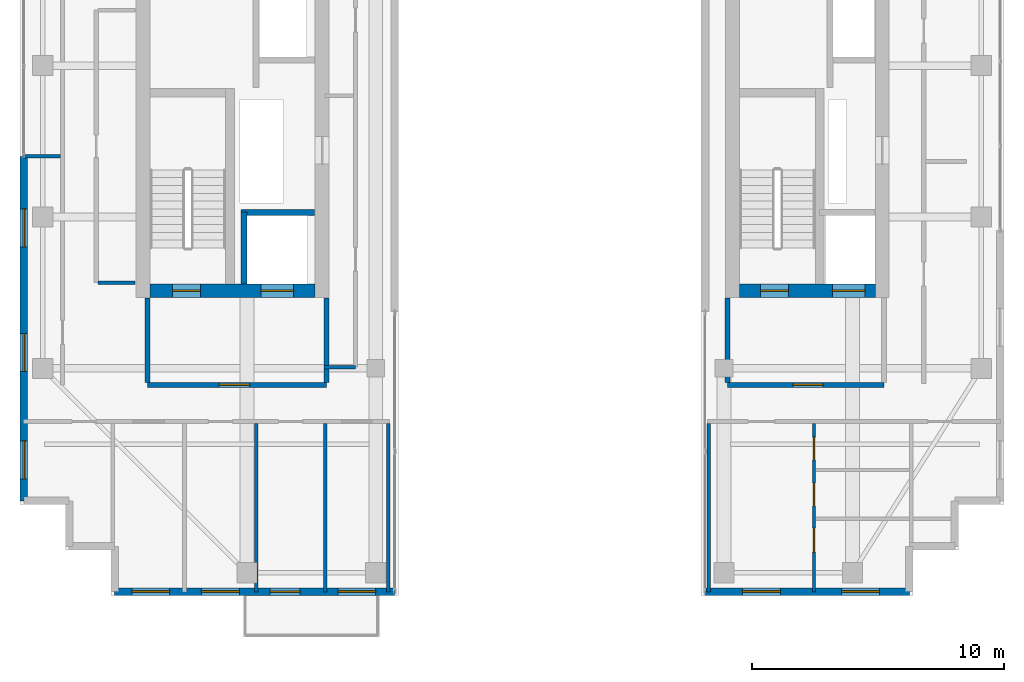
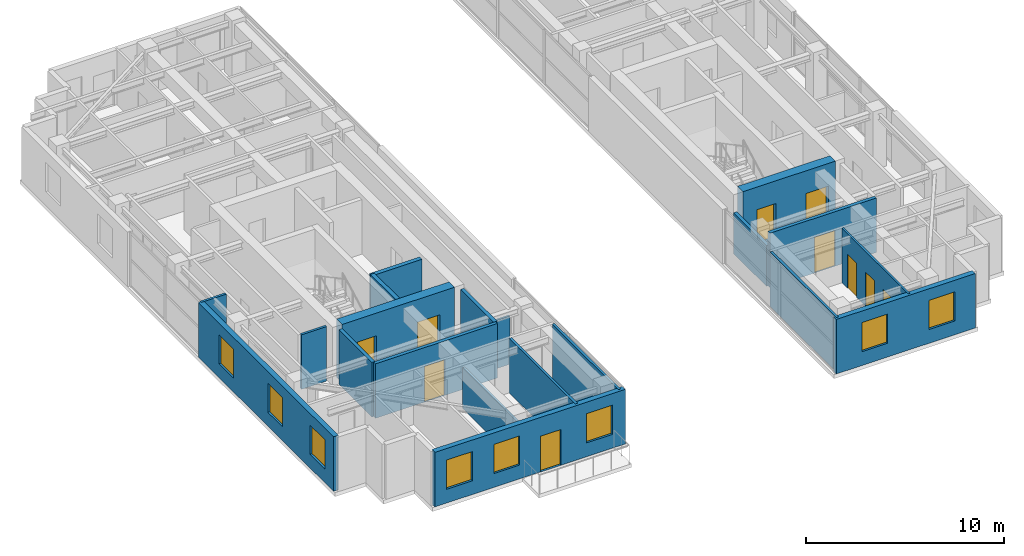
# One storey, part 17 of 22: 20 walls, 10 doors, 8 windows, 18 openings.
"""IFC4 building model written with IfcOpenShell, lengths in metres."""

from ifc_helpers import new_model, si_unit, direction, frame, frame_2d, origin, place, context, subcontext, project, spatial, rectangle, extrude, source, transform, mapped, material, layer, layer_set, type_object, element, fill, save


model = new_model("IFC4")

# Units and contexts
model_context = context("Model", 3, precision=1e-05, world=origin(), true_north=direction((0.0, 1.0)))
body_context = subcontext(model_context, "Body", "Model", "MODEL_VIEW")
ifc_project = project(units=[si_unit("LENGTHUNIT", "METRE"), si_unit("AREAUNIT", "SQUARE_METRE"), si_unit("VOLUMEUNIT", "CUBIC_METRE"), si_unit("PLANEANGLEUNIT", "RADIAN"), si_unit("MASSUNIT", "GRAM", prefix="KILO")], contexts=[model_context])

# Site, building, storey
site_placement = place(None, origin())
site = spatial("IfcSite", under=ifc_project, at=site_placement, CompositionType="ELEMENT")
building_placement = place(site_placement, origin())
building = spatial("IfcBuilding", under=site, at=building_placement, Name="Khoralis Quay Care Tower", CompositionType="ELEMENT")
storey_placement = place(building_placement, frame((0.0, 0.0, 260.10009765625)))
storey = spatial("IfcBuildingStorey", under=building, at=storey_placement, Name="L68", CompositionType="ELEMENT", Elevation=260.10009765625)

# Wall, opening, door
ifc_material_1 = material(Name="Gypsum plasterboard on acoustic metal stud")
ifc_layer_1 = layer(ifc_material_1, 0.199951171875)
ifc_layer_set_1 = layer_set([ifc_layer_1], Name="Gypsum plasterboard on acoustic metal stud")
wall_type_1 = type_object("IfcWallType", Name="WL-COMP-200", PredefinedType="PARTITIONING", material=ifc_layer_set_1)
wall_1_placement = place(storey_placement, frame((8.050048828125, 11.35009765625, 0.0), z_axis=(0.0, 0.0, 1.0), x_axis=(1.0, 0.0, 0.0)))
wall_1 = element("IfcWall", 1, at=wall_1_placement, inside=storey, type_object=wall_type_1, Name="L68 West Firefighting Lobby South Wall", PredefinedType="PARTITIONING", context=body_context, shape_type="SweptSolid", body=[
    extrude(rectangle(XDim=7.099853515625, YDim=0.199951171875, at=frame_2d((3.5498046875, 0.0))), origin(), (0.0, 0.0, 1.0), 3.35986328125),
])
opening_1_placement = place(wall_1_placement, frame((2.846435546875, 0.0, 0.0)))
opening_1 = element("IfcOpeningElement", 2, at=opening_1_placement, cuts=wall_1, Name="Opening FD1", PredefinedType="OPENING", context=body_context, shape_type="SweptSolid", body=[
    extrude(rectangle(XDim=1.199951171875, YDim=2.199951171875, at=frame_2d((0.60009765625, 1.10009765625))), frame((0.0, 0.10986328125, 0.0), z_axis=(0.0, -1.0, 0.0), x_axis=(1.0, 0.0, 0.0)), (0.0, 0.0, 1.0), 0.219970703125),
])
ifc_material_2 = material(Name="Fire-rated painted steel", Category="steel")
door_type_1 = type_object("IfcDoorType", Name="DR-FFL-1200X2200", OperationType="NOTDEFINED", PredefinedType="DOOR", material=ifc_material_2)
shared_shape_1 = source(origin(), body_context, "Body", "SweptSolid", [
    extrude(rectangle(XDim=1.199951171875, YDim=2.199951171875, at=frame_2d((0.60009765625, 1.10009765625))), frame((0.0, 0.02490234375, 0.0), z_axis=(0.0, -1.0, 0.0), x_axis=(1.0, 0.0, 0.0)), (0.0, 0.0, 1.0), 0.050048828125),
])
door_1_placement = place(opening_1_placement, origin())
door_1 = element("IfcDoor", 3, at=door_1_placement, inside=storey, type_object=door_type_1, Name="L68 West Firefighting Lobby Fire Door", OperationType="SINGLE_SWING_RIGHT", OverallHeight=2.199951171875, OverallWidth=1.199951171875, PredefinedType="DOOR", context=body_context, shape_type="MappedRepresentation", body=[
    mapped(shared_shape_1, transform((0.0, 0.0, 0.0), scale=1.0)),
])
fill(opening_1, door_1)

# Walls
for number, where, z_axis, x_axis, name in (
    (4, (8.050048828125, 11.445068359375, 0.0), (0.0, 0.0, 1.0), (0.0, 1.0, 0.0), "L68 West Firefighting Lobby West Wall"),
    (5, (15.14990234375, 11.445068359375, 0.0), (0.0, 0.0, 1.0), (0.0, 1.0, 0.0), "L68 West Firefighting Lobby East Wall"),
):
    element("IfcWall", number, at=place(storey_placement, frame(where, z_axis=z_axis, x_axis=x_axis)), inside=storey, type_object=wall_type_1, Name=name, PredefinedType="PARTITIONING", context=body_context, shape_type="SweptSolid", body=[
        extrude(rectangle(XDim=3.3349609375, YDim=0.199951171875, at=frame_2d((1.66748046875, 0.0))), origin(), (0.0, 0.0, 1.0), 3.35986328125),
    ])

# Wall, opening, door
wall_2_placement = place(storey_placement, frame((31.050048828125, 11.35009765625, 0.0), z_axis=(0.0, 0.0, 1.0), x_axis=(1.0, 0.0, 0.0)))
wall_2 = element("IfcWall", 6, at=wall_2_placement, inside=storey, type_object=wall_type_1, Name="L68 East Firefighting Lobby South Wall", PredefinedType="PARTITIONING", context=body_context, shape_type="SweptSolid", body=[
    extrude(rectangle(XDim=6.199951171875, YDim=0.199951171875, at=frame_2d((3.10009765625, 0.0))), origin(), (0.0, 0.0, 1.0), 3.35986328125),
])
opening_2_placement = place(wall_2_placement, frame((2.585693359375, 0.0, 0.0)))
opening_2 = element("IfcOpeningElement", 7, at=opening_2_placement, cuts=wall_2, Name="Opening FD1", PredefinedType="OPENING", context=body_context, shape_type="SweptSolid", body=[
    extrude(rectangle(XDim=1.199951171875, YDim=2.199951171875, at=frame_2d((0.60009765625, 1.10009765625))), frame((0.0, 0.10986328125, 0.0), z_axis=(0.0, -1.0, 0.0), x_axis=(1.0, 0.0, 0.0)), (0.0, 0.0, 1.0), 0.219970703125),
])
door_2_placement = place(opening_2_placement, origin())
door_2 = element("IfcDoor", 8, at=door_2_placement, inside=storey, type_object=door_type_1, Name="L68 East Firefighting Lobby Fire Door", OperationType="SINGLE_SWING_LEFT", OverallHeight=2.199951171875, OverallWidth=1.199951171875, PredefinedType="DOOR", context=body_context, shape_type="MappedRepresentation", body=[
    mapped(shared_shape_1, transform((0.0, 0.0, 0.0), scale=1.0)),
])
fill(opening_2, door_2)

# Wall
wall_3_placement = place(storey_placement, frame((31.050048828125, 11.445068359375, 0.0), z_axis=(0.0, 0.0, 1.0), x_axis=(0.0, 1.0, 0.0)))
element("IfcWall", 9, at=wall_3_placement, inside=storey, type_object=wall_type_1, Name="L68 East Firefighting Lobby West Wall", PredefinedType="PARTITIONING", context=body_context, shape_type="SweptSolid", body=[
    extrude(rectangle(XDim=3.3349609375, YDim=0.199951171875, at=frame_2d((1.66748046875, 0.0))), origin(), (0.0, 0.0, 1.0), 2.510009765625),
])

# Wall, openings, doors
ifc_material_3 = material(Name="Concrete C65/80", Category="concrete")
ifc_layer_2 = layer(ifc_material_3, 0.550048828125)
ifc_layer_set_2 = layer_set([ifc_layer_2], Name="Concrete C65/80")
wall_type_2 = type_object("IfcWallType", Name="WL-CORE-550", PredefinedType="SHEAR", material=ifc_layer_set_2)
wall_4_placement = place(storey_placement, frame((8.14990234375, 15.074951171875, 0.0), z_axis=(0.0, 0.0, 1.0), x_axis=(1.0, 0.0, 0.0)))
wall_4 = element("IfcWall", 10, at=wall_4_placement, inside=storey, type_object=wall_type_2, Name="L68 WCORE South Shear Wall", PredefinedType="SHEAR", context=body_context, shape_type="SweptSolid", body=[
    extrude(rectangle(XDim=6.550048828125, YDim=0.550048828125, at=frame_2d((3.27490234375, 0.0))), origin(), (0.0, 0.0, 1.0), 3.599853515625),
])
opening_3_placement = place(wall_4_placement, frame((0.89990234375, 0.0, 0.0)))
opening_3 = element("IfcOpeningElement", 11, at=opening_3_placement, cuts=wall_4, Name="Opening SD1", PredefinedType="OPENING", context=body_context, shape_type="SweptSolid", body=[
    extrude(rectangle(XDim=1.10009765625, YDim=2.199951171875, at=frame_2d((0.550048828125, 1.10009765625))), frame((0.0, 0.28515625, 0.0), z_axis=(0.0, -1.0, 0.0), x_axis=(1.0, 0.0, 0.0)), (0.0, 0.0, 1.0), 0.570068359375),
])
opening_4_placement = place(wall_4_placement, frame((4.39990234375, 0.0, 0.0)))
opening_4 = element("IfcOpeningElement", 12, at=opening_4_placement, cuts=wall_4, Name="Opening LD2", PredefinedType="OPENING", context=body_context, shape_type="SweptSolid", body=[
    extrude(rectangle(XDim=1.300048828125, YDim=2.199951171875, at=frame_2d((0.64990234375, 1.10009765625))), frame((0.0, 0.28515625, 0.0), z_axis=(0.0, -1.0, 0.0), x_axis=(1.0, 0.0, 0.0)), (0.0, 0.0, 1.0), 0.570068359375),
])
door_type_2 = type_object("IfcDoorType", Name="DR-STAIR-1100X2200", OperationType="NOTDEFINED", PredefinedType="DOOR", material=ifc_material_2)
shared_shape_2 = source(origin(), body_context, "Body", "SweptSolid", [
    extrude(rectangle(XDim=1.10009765625, YDim=2.199951171875, at=frame_2d((0.550048828125, 1.10009765625))), frame((0.0, 0.02490234375, 0.0), z_axis=(0.0, -1.0, 0.0), x_axis=(1.0, 0.0, 0.0)), (0.0, 0.0, 1.0), 0.050048828125),
])
door_3_placement = place(opening_3_placement, origin())
door_3 = element("IfcDoor", 13, at=door_3_placement, inside=storey, type_object=door_type_2, Name="L68 Stair ST-T1 Fire Door", OperationType="SINGLE_SWING_RIGHT", OverallHeight=2.199951171875, OverallWidth=1.10009765625, PredefinedType="DOOR", context=body_context, shape_type="MappedRepresentation", body=[
    mapped(shared_shape_2, transform((0.0, 0.0, 0.0), scale=1.0)),
])
fill(opening_3, door_3)
ifc_material_4 = material(Name="Brushed stainless steel", Category="steel")
door_type_3 = type_object("IfcDoorType", Name="DR-LIFT-1300X2200", OperationType="SLIDING_TO_RIGHT", PredefinedType="DOOR", material=ifc_material_4)
shared_shape_3 = source(origin(), body_context, "Body", "SweptSolid", [
    extrude(rectangle(XDim=1.300048828125, YDim=2.199951171875, at=frame_2d((0.64990234375, 1.10009765625))), frame((0.0, 0.02490234375, 0.0), z_axis=(0.0, -1.0, 0.0), x_axis=(1.0, 0.0, 0.0)), (0.0, 0.0, 1.0), 0.050048828125),
])
door_4_placement = place(opening_4_placement, origin())
door_4 = element("IfcDoor", 14, at=door_4_placement, inside=storey, type_object=door_type_3, Name="L68 Firefighting Lift FFL-1 Landing Door", OperationType="SLIDING_TO_RIGHT", OverallHeight=2.199951171875, OverallWidth=1.300048828125, PredefinedType="DOOR", context=body_context, shape_type="MappedRepresentation", body=[
    mapped(shared_shape_3, transform((0.0, 0.0, 0.0), scale=1.0)),
])
fill(opening_4, door_4)

wall_5_placement = place(storey_placement, frame((31.52001953125, 15.074951171875, 0.0), z_axis=(0.0, 0.0, 1.0), x_axis=(1.0, 0.0, 0.0)))
wall_5 = element("IfcWall", 15, at=wall_5_placement, inside=storey, type_object=wall_type_2, Name="L68 ECORE South Shear Wall", PredefinedType="SHEAR", context=body_context, shape_type="SweptSolid", body=[
    extrude(rectangle(XDim=5.3798828125, YDim=0.550048828125, at=frame_2d((2.68994140625, 0.0))), origin(), (0.0, 0.0, 1.0), 3.599853515625),
])
opening_5_placement = place(wall_5_placement, frame((0.830078125, 0.0, 0.0)))
opening_5 = element("IfcOpeningElement", 16, at=opening_5_placement, cuts=wall_5, Name="Opening SD1", PredefinedType="OPENING", context=body_context, shape_type="SweptSolid", body=[
    extrude(rectangle(XDim=1.10009765625, YDim=2.199951171875, at=frame_2d((0.550048828125, 1.10009765625))), frame((0.0, 0.28515625, 0.0), z_axis=(0.0, -1.0, 0.0), x_axis=(1.0, 0.0, 0.0)), (0.0, 0.0, 1.0), 0.570068359375),
])
opening_6_placement = place(wall_5_placement, frame((3.679931640625, 0.0, 0.0)))
opening_6 = element("IfcOpeningElement", 17, at=opening_6_placement, cuts=wall_5, Name="Opening LD2", PredefinedType="OPENING", context=body_context, shape_type="SweptSolid", body=[
    extrude(rectangle(XDim=1.300048828125, YDim=2.199951171875, at=frame_2d((0.64990234375, 1.10009765625))), frame((0.0, 0.28515625, 0.0), z_axis=(0.0, -1.0, 0.0), x_axis=(1.0, 0.0, 0.0)), (0.0, 0.0, 1.0), 0.570068359375),
])
door_5_placement = place(opening_5_placement, origin())
door_5 = element("IfcDoor", 18, at=door_5_placement, inside=storey, type_object=door_type_2, Name="L68 Stair ST-T2 Fire Door", OperationType="SINGLE_SWING_LEFT", OverallHeight=2.199951171875, OverallWidth=1.10009765625, PredefinedType="DOOR", context=body_context, shape_type="MappedRepresentation", body=[
    mapped(shared_shape_2, transform((0.0, 0.0, 0.0), scale=1.0)),
])
fill(opening_5, door_5)
door_6_placement = place(opening_6_placement, origin())
door_6 = element("IfcDoor", 19, at=door_6_placement, inside=storey, type_object=door_type_3, Name="L68 Firefighting Lift FFL-2 Landing Door", OperationType="SLIDING_TO_RIGHT", OverallHeight=2.199951171875, OverallWidth=1.300048828125, PredefinedType="DOOR", context=body_context, shape_type="MappedRepresentation", body=[
    mapped(shared_shape_3, transform((0.0, 0.0, 0.0), scale=1.0)),
])
fill(opening_6, door_6)

# Wall, openings, windows, door
ifc_material_5 = material(Name="Precast concrete C45/55", Category="concrete")
ifc_layer_3 = layer(ifc_material_5, 0.300048828125)
ifc_layer_set_3 = layer_set([ifc_layer_3], Name="Precast concrete C45/55")
wall_type_3 = type_object("IfcWallType", Name="WL-EXT-REF-300", PredefinedType="SOLIDWALL", material=ifc_layer_set_3)
wall_6_placement = place(storey_placement, frame((6.75, 3.14990234375, 0.0), z_axis=(0.0, 0.0, 1.0), x_axis=(1.0, 0.0, 0.0)))
wall_6 = element("IfcWall", 20, at=wall_6_placement, inside=storey, type_object=wall_type_3, Name="L68 External Facade Wall WL-EXT-L68-P1-E0", PredefinedType="SOLIDWALL", context=body_context, shape_type="SweptSolid", body=[
    extrude(rectangle(XDim=11.10009765625, YDim=0.300048828125, at=frame_2d((5.550048828125, 0.0))), origin(), (0.0, 0.0, 1.0), 3.35986328125),
])
opening_7_placement = place(wall_6_placement, frame((0.68505859375, 0.0, 0.85009765625)))
opening_7 = element("IfcOpeningElement", 21, at=opening_7_placement, cuts=wall_6, Name="Opening W3", PredefinedType="OPENING", context=body_context, shape_type="SweptSolid", body=[
    extrude(rectangle(XDim=1.5, YDim=1.800048828125, at=frame_2d((0.75, 0.89990234375))), frame((0.0, 0.16015625, 0.0), z_axis=(0.0, -1.0, 0.0), x_axis=(1.0, 0.0, 0.0)), (0.0, 0.0, 1.0), 0.320068359375),
])
opening_8_placement = place(wall_6_placement, frame((3.43994140625, 0.0, 0.85009765625)))
opening_8 = element("IfcOpeningElement", 22, at=opening_8_placement, cuts=wall_6, Name="Opening W3", PredefinedType="OPENING", context=body_context, shape_type="SweptSolid", body=[
    extrude(rectangle(XDim=1.5, YDim=1.800048828125, at=frame_2d((0.75, 0.89990234375))), frame((0.0, 0.16015625, 0.0), z_axis=(0.0, -1.0, 0.0), x_axis=(1.0, 0.0, 0.0)), (0.0, 0.0, 1.0), 0.320068359375),
])
opening_9_placement = place(wall_6_placement, frame((8.844970703125, 0.0, 0.85009765625)))
opening_9 = element("IfcOpeningElement", 23, at=opening_9_placement, cuts=wall_6, Name="Opening W3", PredefinedType="OPENING", context=body_context, shape_type="SweptSolid", body=[
    extrude(rectangle(XDim=1.5, YDim=1.800048828125, at=frame_2d((0.75, 0.89990234375))), frame((0.0, 0.16015625, 0.0), z_axis=(0.0, -1.0, 0.0), x_axis=(1.0, 0.0, 0.0)), (0.0, 0.0, 1.0), 0.320068359375),
])
opening_10_placement = place(wall_6_placement, frame((6.14990234375, 0.0, 0.0)))
opening_10 = element("IfcOpeningElement", 24, at=opening_10_placement, cuts=wall_6, Name="Opening BD1", PredefinedType="OPENING", context=body_context, shape_type="SweptSolid", body=[
    extrude(rectangle(XDim=1.199951171875, YDim=2.199951171875, at=frame_2d((0.60009765625, 1.10009765625))), frame((0.0, 0.16015625, 0.0), z_axis=(0.0, -1.0, 0.0), x_axis=(1.0, 0.0, 0.0)), (0.0, 0.0, 1.0), 0.320068359375),
])
ifc_material_6 = material(Name="Low-E solar-control double glazing", Category="glass")
window_type = type_object("IfcWindowType", Name="WN-CLIN-1500X1800", PartitioningType="SINGLE_PANEL", PredefinedType="WINDOW", material=ifc_material_6)
shared_shape_4 = source(origin(), body_context, "Body", "SweptSolid", [
    extrude(rectangle(XDim=1.5, YDim=1.800048828125, at=frame_2d((0.75, 0.89990234375))), frame((0.0, 0.030029296875, 0.0), z_axis=(0.0, -1.0, 0.0), x_axis=(1.0, 0.0, 0.0)), (0.0, 0.0, 1.0), 0.06005859375),
])
window_1_placement = place(opening_7_placement, origin())
window_1 = element("IfcWindow", 25, at=window_1_placement, inside=storey, type_object=window_type, Name="WN-L68-P1-E0 Facade Window 01", OverallHeight=1.800048828125, OverallWidth=1.5, PartitioningType="SINGLE_PANEL", PredefinedType="WINDOW", context=body_context, shape_type="MappedRepresentation", body=[
    mapped(shared_shape_4, transform((0.0, 0.0, 0.0), scale=1.0)),
])
fill(opening_7, window_1)
window_2_placement = place(opening_8_placement, origin())
window_2 = element("IfcWindow", 26, at=window_2_placement, inside=storey, type_object=window_type, Name="WN-L68-P1-E0 Facade Window 02", OverallHeight=1.800048828125, OverallWidth=1.5, PartitioningType="SINGLE_PANEL", PredefinedType="WINDOW", context=body_context, shape_type="MappedRepresentation", body=[
    mapped(shared_shape_4, transform((0.0, 0.0, 0.0), scale=1.0)),
])
fill(opening_8, window_2)
window_3_placement = place(opening_9_placement, origin())
window_3 = element("IfcWindow", 27, at=window_3_placement, inside=storey, type_object=window_type, Name="WN-L68-P1-E0 Facade Window 03", OverallHeight=1.800048828125, OverallWidth=1.5, PartitioningType="SINGLE_PANEL", PredefinedType="WINDOW", context=body_context, shape_type="MappedRepresentation", body=[
    mapped(shared_shape_4, transform((0.0, 0.0, 0.0), scale=1.0)),
])
fill(opening_9, window_3)
ifc_material_7 = material(Name="Anodised aluminium and laminated safety glass", Category="aluminium")
door_type_4 = type_object("IfcDoorType", Name="DR-EXT-BALC-1200X2200", OperationType="NOTDEFINED", PredefinedType="DOOR", material=ifc_material_7)
shared_shape_5 = source(origin(), body_context, "Body", "SweptSolid", [
    extrude(rectangle(XDim=1.199951171875, YDim=2.199951171875, at=frame_2d((0.60009765625, 1.10009765625))), frame((0.0, 0.02490234375, 0.0), z_axis=(0.0, -1.0, 0.0), x_axis=(1.0, 0.0, 0.0)), (0.0, 0.0, 1.0), 0.050048828125),
])
door_7_placement = place(opening_10_placement, frame((1.199951171875, 0.0, 0.0), z_axis=(0.0, 0.0, 1.0), x_axis=(-1.0, 0.0, 0.0)))
door_7 = element("IfcDoor", 28, at=door_7_placement, inside=storey, type_object=door_type_4, Name="L68 Senior Loggia Balcony Door", OperationType="SINGLE_SWING_LEFT", OverallHeight=2.199951171875, OverallWidth=1.199951171875, PredefinedType="DOOR", context=body_context, shape_type="MappedRepresentation", body=[
    mapped(shared_shape_5, transform((0.0, 0.0, 0.0), scale=1.0)),
])
fill(opening_10, door_7)

# Wall, openings, windows
wall_7_placement = place(storey_placement, frame((3.14990234375, 20.39990234375, 0.0), z_axis=(0.0, 0.0, 1.0), x_axis=(0.0, -1.0, 0.0)))
wall_7 = element("IfcWall", 29, at=wall_7_placement, inside=storey, type_object=wall_type_3, Name="L68 External Facade Wall WL-EXT-L68-P1-E7B", PredefinedType="SOLIDWALL", context=body_context, shape_type="SweptSolid", body=[
    extrude(rectangle(XDim=13.64990234375, YDim=0.300048828125, at=frame_2d((6.824951171875, 0.0))), origin(), (0.0, 0.0, 1.0), 3.35986328125),
])
opening_11_placement = place(wall_7_placement, frame((2.080078125, 0.0, 0.85009765625)))
opening_11 = element("IfcOpeningElement", 30, at=opening_11_placement, cuts=wall_7, Name="Opening W3", PredefinedType="OPENING", context=body_context, shape_type="SweptSolid", body=[
    extrude(rectangle(XDim=1.5, YDim=1.800048828125, at=frame_2d((0.75, 0.89990234375))), frame((0.0, 0.16015625, 0.0), z_axis=(0.0, -1.0, 0.0), x_axis=(1.0, 0.0, 0.0)), (0.0, 0.0, 1.0), 0.320068359375),
])
opening_12_placement = place(wall_7_placement, frame((7.02001953125, 0.0, 0.85009765625)))
opening_12 = element("IfcOpeningElement", 31, at=opening_12_placement, cuts=wall_7, Name="Opening W3", PredefinedType="OPENING", context=body_context, shape_type="SweptSolid", body=[
    extrude(rectangle(XDim=1.5, YDim=1.800048828125, at=frame_2d((0.75, 0.89990234375))), frame((0.0, 0.16015625, 0.0), z_axis=(0.0, -1.0, 0.0), x_axis=(1.0, 0.0, 0.0)), (0.0, 0.0, 1.0), 0.320068359375),
])
opening_13_placement = place(wall_7_placement, frame((11.27490234375, 0.0, 0.85009765625)))
opening_13 = element("IfcOpeningElement", 32, at=opening_13_placement, cuts=wall_7, Name="Opening W3", PredefinedType="OPENING", context=body_context, shape_type="SweptSolid", body=[
    extrude(rectangle(XDim=1.5, YDim=1.800048828125, at=frame_2d((0.75, 0.89990234375))), frame((0.0, 0.16015625, 0.0), z_axis=(0.0, -1.0, 0.0), x_axis=(1.0, 0.0, 0.0)), (0.0, 0.0, 1.0), 0.320068359375),
])
window_4_placement = place(opening_11_placement, origin())
window_4 = element("IfcWindow", 33, at=window_4_placement, inside=storey, type_object=window_type, Name="WN-L68-P1-E7B Facade Window 01", OverallHeight=1.800048828125, OverallWidth=1.5, PartitioningType="SINGLE_PANEL", PredefinedType="WINDOW", context=body_context, shape_type="MappedRepresentation", body=[
    mapped(shared_shape_4, transform((0.0, 0.0, 0.0), scale=1.0)),
])
fill(opening_11, window_4)
window_5_placement = place(opening_12_placement, origin())
window_5 = element("IfcWindow", 34, at=window_5_placement, inside=storey, type_object=window_type, Name="WN-L68-P1-E7B Facade Window 02", OverallHeight=1.800048828125, OverallWidth=1.5, PartitioningType="SINGLE_PANEL", PredefinedType="WINDOW", context=body_context, shape_type="MappedRepresentation", body=[
    mapped(shared_shape_4, transform((0.0, 0.0, 0.0), scale=1.0)),
])
fill(opening_12, window_5)
window_6_placement = place(opening_13_placement, origin())
window_6 = element("IfcWindow", 35, at=window_6_placement, inside=storey, type_object=window_type, Name="WN-L68-P1-E7B Facade Window 03", OverallHeight=1.800048828125, OverallWidth=1.5, PartitioningType="SINGLE_PANEL", PredefinedType="WINDOW", context=body_context, shape_type="MappedRepresentation", body=[
    mapped(shared_shape_4, transform((0.0, 0.0, 0.0), scale=1.0)),
])
fill(opening_13, window_6)

wall_8_placement = place(storey_placement, frame((30.14990234375, 3.14990234375, 0.0), z_axis=(0.0, 0.0, 1.0), x_axis=(1.0, 0.0, 0.0)))
wall_8 = element("IfcWall", 36, at=wall_8_placement, inside=storey, type_object=wall_type_3, Name="L68 External Facade Wall WL-EXT-L68-P2-E0", PredefinedType="SOLIDWALL", context=body_context, shape_type="SweptSolid", body=[
    extrude(rectangle(XDim=8.10009765625, YDim=0.300048828125, at=frame_2d((4.050048828125, 0.0))), origin(), (0.0, 0.0, 1.0), 3.35986328125),
])
opening_14_placement = place(wall_8_placement, frame((1.485107421875, 0.0, 0.85009765625)))
opening_14 = element("IfcOpeningElement", 37, at=opening_14_placement, cuts=wall_8, Name="Opening W3", PredefinedType="OPENING", context=body_context, shape_type="SweptSolid", body=[
    extrude(rectangle(XDim=1.5, YDim=1.800048828125, at=frame_2d((0.75, 0.89990234375))), frame((0.0, 0.16015625, 0.0), z_axis=(0.0, -1.0, 0.0), x_axis=(1.0, 0.0, 0.0)), (0.0, 0.0, 1.0), 0.320068359375),
])
opening_15_placement = place(wall_8_placement, frame((5.409912109375, 0.0, 0.85009765625)))
opening_15 = element("IfcOpeningElement", 38, at=opening_15_placement, cuts=wall_8, Name="Opening W3", PredefinedType="OPENING", context=body_context, shape_type="SweptSolid", body=[
    extrude(rectangle(XDim=1.5, YDim=1.800048828125, at=frame_2d((0.75, 0.89990234375))), frame((0.0, 0.16015625, 0.0), z_axis=(0.0, -1.0, 0.0), x_axis=(1.0, 0.0, 0.0)), (0.0, 0.0, 1.0), 0.320068359375),
])
window_7_placement = place(opening_14_placement, origin())
window_7 = element("IfcWindow", 39, at=window_7_placement, inside=storey, type_object=window_type, Name="WN-L68-P2-E0 Facade Window 01", OverallHeight=1.800048828125, OverallWidth=1.5, PartitioningType="SINGLE_PANEL", PredefinedType="WINDOW", context=body_context, shape_type="MappedRepresentation", body=[
    mapped(shared_shape_4, transform((0.0, 0.0, 0.0), scale=1.0)),
])
fill(opening_14, window_7)
window_8_placement = place(opening_15_placement, origin())
window_8 = element("IfcWindow", 40, at=window_8_placement, inside=storey, type_object=window_type, Name="WN-L68-P2-E0 Facade Window 02", OverallHeight=1.800048828125, OverallWidth=1.5, PartitioningType="SINGLE_PANEL", PredefinedType="WINDOW", context=body_context, shape_type="MappedRepresentation", body=[
    mapped(shared_shape_4, transform((0.0, 0.0, 0.0), scale=1.0)),
])
fill(opening_15, window_8)

# Wall, openings, doors
ifc_layer_4 = layer(ifc_material_1, 0.114990234375)
ifc_layer_set_4 = layer_set([ifc_layer_4], Name="Gypsum plasterboard on acoustic metal stud")
wall_type_4 = type_object("IfcWallType", Name="WL-PART-115", PredefinedType="PARTITIONING", material=ifc_layer_set_4)
wall_9_placement = place(storey_placement, frame((34.469970703125, 3.14501953125, 0.0), z_axis=(0.0, 0.0, 1.0), x_axis=(0.0, 1.0, 0.0)))
wall_9 = element("IfcWall", 41, at=wall_9_placement, inside=storey, type_object=wall_type_4, Name="L68 Unit 0 Internal Wall", PredefinedType="PARTITIONING", context=body_context, shape_type="SweptSolid", body=[
    extrude(rectangle(XDim=6.677490234375, YDim=0.114990234375, at=frame_2d((3.3388671875, 0.0))), origin(), (0.0, 0.0, 1.0), 3.35986328125),
])
opening_16_placement = place(wall_9_placement, frame((1.572998046875, 0.0, 0.0)))
opening_16 = element("IfcOpeningElement", 42, at=opening_16_placement, cuts=wall_9, Name="Opening ID1", PredefinedType="OPENING", context=body_context, shape_type="SweptSolid", body=[
    extrude(rectangle(XDim=0.949951171875, YDim=2.10009765625, at=frame_2d((0.47509765625, 1.050048828125))), frame((0.0, 0.0673828125, 0.0), z_axis=(0.0, -1.0, 0.0), x_axis=(1.0, 0.0, 0.0)), (0.0, 0.0, 1.0), 0.135009765625),
])
opening_17_placement = place(wall_9_placement, frame((3.406982421875, 0.0, 0.0)))
opening_17 = element("IfcOpeningElement", 43, at=opening_17_placement, cuts=wall_9, Name="Opening WD1", PredefinedType="OPENING", context=body_context, shape_type="SweptSolid", body=[
    extrude(rectangle(XDim=0.89990234375, YDim=2.10009765625, at=frame_2d((0.449951171875, 1.050048828125))), frame((0.0, 0.0673828125, 0.0), z_axis=(0.0, -1.0, 0.0), x_axis=(1.0, 0.0, 0.0)), (0.0, 0.0, 1.0), 0.135009765625),
])
opening_18_placement = place(wall_9_placement, frame((5.22412109375, 0.0, 0.0)))
opening_18 = element("IfcOpeningElement", 44, at=opening_18_placement, cuts=wall_9, Name="Opening WD1", PredefinedType="OPENING", context=body_context, shape_type="SweptSolid", body=[
    extrude(rectangle(XDim=0.89990234375, YDim=2.10009765625, at=frame_2d((0.449951171875, 1.050048828125))), frame((0.0, 0.0673828125, 0.0), z_axis=(0.0, -1.0, 0.0), x_axis=(1.0, 0.0, 0.0)), (0.0, 0.0, 1.0), 0.135009765625),
])
ifc_material_8 = material(Name="Acoustic hardwood timber", Category="wood")
door_type_5 = type_object("IfcDoorType", Name="DR-BATH-900X2100", OperationType="NOTDEFINED", PredefinedType="DOOR", material=ifc_material_8)
shared_shape_6 = source(origin(), body_context, "Body", "SweptSolid", [
    extrude(rectangle(XDim=0.89990234375, YDim=2.10009765625, at=frame_2d((0.449951171875, 1.050048828125))), frame((0.0, 0.02490234375, 0.0), z_axis=(0.0, -1.0, 0.0), x_axis=(1.0, 0.0, 0.0)), (0.0, 0.0, 1.0), 0.050048828125),
])
door_8_placement = place(opening_17_placement, frame((0.89990234375, 0.0, 0.0), z_axis=(0.0, 0.0, 1.0), x_axis=(-1.0, 0.0, 0.0)))
door_8 = element("IfcDoor", 45, at=door_8_placement, inside=storey, type_object=door_type_5, Name="L68 Apartment ES0 KIT Door", OperationType="SINGLE_SWING_LEFT", OverallHeight=2.10009765625, OverallWidth=0.89990234375, PredefinedType="DOOR", context=body_context, shape_type="MappedRepresentation", body=[
    mapped(shared_shape_6, transform((0.0, 0.0, 0.0), scale=1.0)),
])
fill(opening_17, door_8)
door_9_placement = place(opening_18_placement, frame((0.89990234375, 0.0, 0.0), z_axis=(0.0, 0.0, 1.0), x_axis=(-1.0, 0.0, 0.0)))
door_9 = element("IfcDoor", 46, at=door_9_placement, inside=storey, type_object=door_type_5, Name="L68 Apartment ES0 BTH Door", OperationType="SINGLE_SWING_RIGHT", OverallHeight=2.10009765625, OverallWidth=0.89990234375, PredefinedType="DOOR", context=body_context, shape_type="MappedRepresentation", body=[
    mapped(shared_shape_6, transform((0.0, 0.0, 0.0), scale=1.0)),
])
fill(opening_18, door_9)
door_type_6 = type_object("IfcDoorType", Name="DR-ROOM-950X2100", OperationType="NOTDEFINED", PredefinedType="DOOR", material=ifc_material_8)
shared_shape_7 = source(origin(), body_context, "Body", "SweptSolid", [
    extrude(rectangle(XDim=0.949951171875, YDim=2.10009765625, at=frame_2d((0.47509765625, 1.050048828125))), frame((0.0, 0.02490234375, 0.0), z_axis=(0.0, -1.0, 0.0), x_axis=(1.0, 0.0, 0.0)), (0.0, 0.0, 1.0), 0.050048828125),
])
door_10_placement = place(opening_16_placement, frame((0.949951171875, 0.0, 0.0), z_axis=(0.0, 0.0, 1.0), x_axis=(-1.0, 0.0, 0.0)))
door_10 = element("IfcDoor", 47, at=door_10_placement, inside=storey, type_object=door_type_6, Name="L68 Apartment ES0 BED Door", OperationType="SINGLE_SWING_RIGHT", OverallHeight=2.10009765625, OverallWidth=0.949951171875, PredefinedType="DOOR", context=body_context, shape_type="MappedRepresentation", body=[
    mapped(shared_shape_7, transform((0.0, 0.0, 0.0), scale=1.0)),
])
fill(opening_16, door_10)

# Walls
ifc_layer_5 = layer(ifc_material_1, 0.239990234375)
ifc_layer_set_5 = layer_set([ifc_layer_5], Name="Gypsum plasterboard on acoustic metal stud")
wall_type_5 = type_object("IfcWallType", Name="WL-SHAFT-240", PredefinedType="PARTITIONING", material=ifc_layer_set_5)
wall_10_placement = place(storey_placement, frame((11.8798828125, 15.35009765625, 0.0), z_axis=(0.0, 0.0, 1.0), x_axis=(0.0, 1.0, 0.0)))
element("IfcWall", 48, at=wall_10_placement, inside=storey, type_object=wall_type_5, Name="L68 FFL-1 Shaft Wall West", PredefinedType="PARTITIONING", context=body_context, shape_type="SweptSolid", body=[
    extrude(rectangle(XDim=2.849853515625, YDim=0.239990234375, at=frame_2d((1.4248046875, 0.0))), origin(), (0.0, 0.0, 1.0), 3.35986328125),
])
wall_11_placement = place(storey_placement, frame((11.760009765625, 18.169921875, 0.0), z_axis=(0.0, 0.0, 1.0), x_axis=(1.0, 0.0, 0.0)))
element("IfcWall", 49, at=wall_11_placement, inside=storey, type_object=wall_type_5, Name="L68 FFL-1 Shaft Wall North", PredefinedType="PARTITIONING", context=body_context, shape_type="SweptSolid", body=[
    extrude(rectangle(XDim=2.919921875, YDim=0.239990234375, at=frame_2d((1.4599609375, 0.0))), origin(), (0.0, 0.0, 1.0), 3.35986328125),
])
ifc_layer_6 = layer(ifc_material_1, 0.139892578125)
ifc_layer_set_6 = layer_set([ifc_layer_6], Name="Gypsum plasterboard on acoustic metal stud")
wall_type_6 = type_object("IfcWallType", Name="WL-UNIT-140", PredefinedType="PARTITIONING", material=ifc_layer_set_6)
wall_12_placement = place(storey_placement, frame((6.097412109375, 15.39990234375, 0.0), z_axis=(0.0, 0.0, 1.0), x_axis=(1.0, 0.0, 0.0)))
element("IfcWall", 50, at=wall_12_placement, inside=storey, type_object=wall_type_6, Name="L68 West Flank South Cap", PredefinedType="PARTITIONING", context=body_context, shape_type="SweptSolid", body=[
    extrude(rectangle(XDim=1.462646484375, YDim=0.139892578125, at=frame_2d((0.7314453125, 0.0))), origin(), (0.0, 0.0, 1.0), 3.35986328125),
])
wall_13_placement = place(storey_placement, frame((3.14501953125, 20.39990234375, 0.0), z_axis=(0.0, 0.0, 1.0), x_axis=(1.0, 0.0, 0.0)))
element("IfcWall", 51, at=wall_13_placement, inside=storey, type_object=wall_type_6, Name="L68 West Mid Split", PredefinedType="PARTITIONING", context=body_context, shape_type="SweptSolid", body=[
    extrude(rectangle(XDim=1.45751953125, YDim=0.139892578125, at=frame_2d((0.728759765625, 0.0))), origin(), (0.0, 0.0, 1.0), 3.35986328125),
])
wall_14_placement = place(storey_placement, frame((12.360107421875, 3.14501953125, 0.0), z_axis=(0.0, 0.0, 1.0), x_axis=(0.0, 1.0, 0.0)))
element("IfcWall", 52, at=wall_14_placement, inside=storey, type_object=wall_type_6, Name="L68 WS Demising Wall 2", PredefinedType="PARTITIONING", context=body_context, shape_type="SweptSolid", body=[
    extrude(rectangle(XDim=6.677490234375, YDim=0.139892578125, at=frame_2d((3.3388671875, 0.0))), origin(), (0.0, 0.0, 1.0), 2.510009765625),
])
for number, where, z_axis, x_axis, name in (
    (53, (15.090087890625, 3.14501953125, 0.0), (0.0, 0.0, 1.0), (0.0, 1.0, 0.0), "L68 WS Demising Wall 3"),
    (54, (17.60009765625, 3.14501953125, 0.0), (0.0, 0.0, 1.0), (0.0, 1.0, 0.0), "L68 WS Demising Wall 4"),
    (55, (30.300048828125, 3.14501953125, 0.0), (0.0, 0.0, 1.0), (0.0, 1.0, 0.0), "L68 ES Demising Wall 0"),
):
    element("IfcWall", number, at=place(storey_placement, frame(where, z_axis=z_axis, x_axis=x_axis)), inside=storey, type_object=wall_type_6, Name=name, PredefinedType="PARTITIONING", context=body_context, shape_type="SweptSolid", body=[
        extrude(rectangle(XDim=6.677490234375, YDim=0.139892578125, at=frame_2d((3.3388671875, 0.0))), origin(), (0.0, 0.0, 1.0), 3.35986328125),
    ])
wall_15_placement = place(storey_placement, frame((15.050048828125, 12.050048828125, 0.0), z_axis=(0.0, 0.0, 1.0), x_axis=(1.0, 0.0, 0.0)))
element("IfcWall", 56, at=wall_15_placement, inside=storey, type_object=wall_type_6, Name="L68 Portal Alcove South Wall", PredefinedType="PARTITIONING", context=body_context, shape_type="SweptSolid", body=[
    extrude(rectangle(XDim=1.25, YDim=0.139892578125, at=frame_2d((0.625, 0.0))), origin(), (0.0, 0.0, 1.0), 2.9599609375),
])

save(model, "model.ifc")
